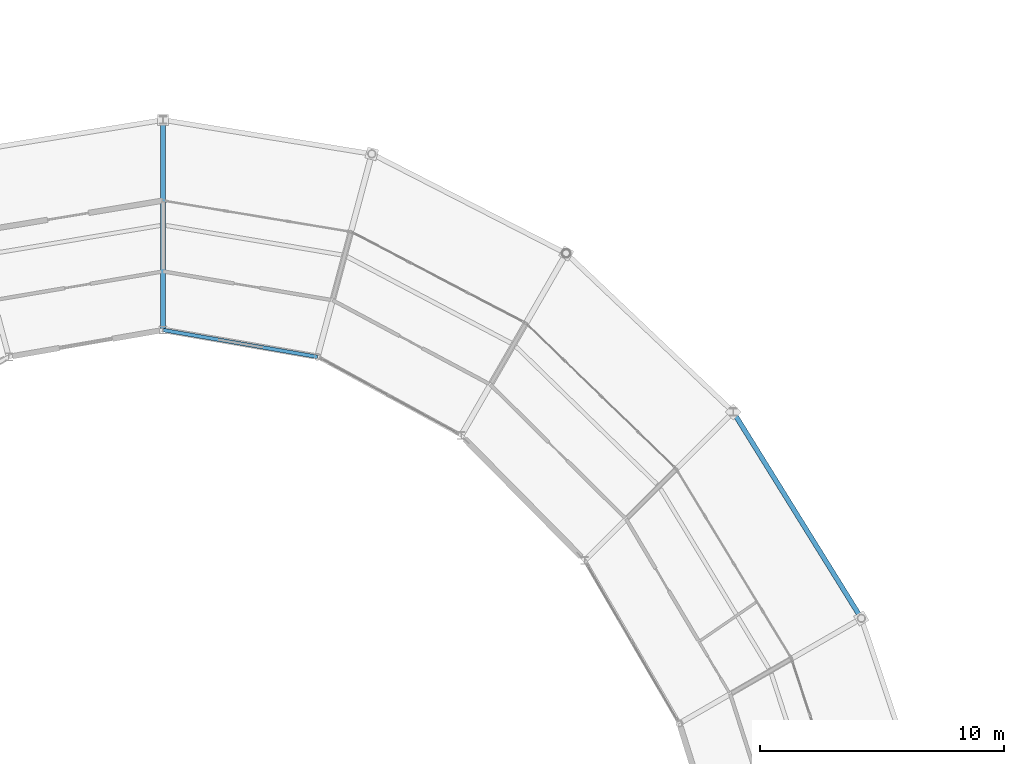
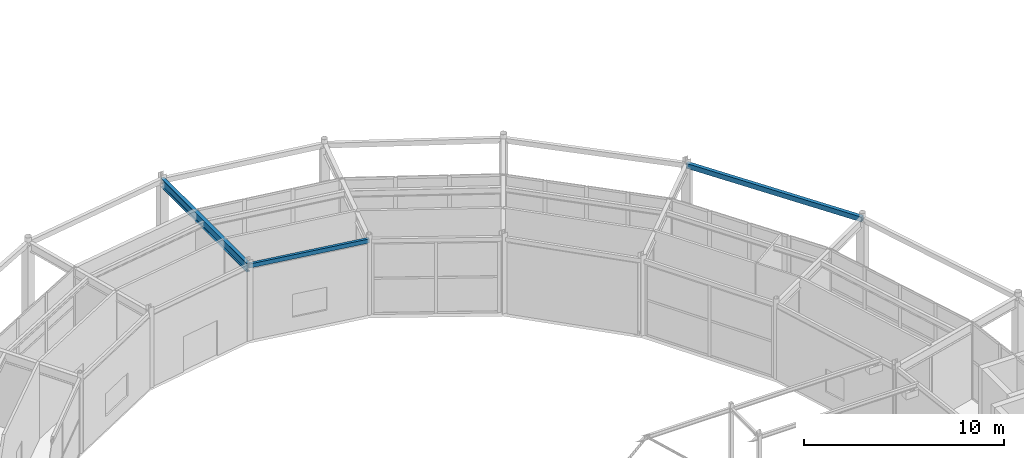
# One storey, part 87 of 144: 3 beams.
"""IFC4 building model written with IfcOpenShell, lengths in metres."""

from ifc_helpers import new_model, si_unit, direction, frame, origin, origin_2d, place, context, subcontext, project, spatial, hollow_rectangle, i_section, extrude, material, material_profile, profile_set, type_object, element, save


model = new_model("IFC4")

# Units and contexts
model_context = context("Model", 3, precision=1e-05, world=origin(), true_north=direction((0.0, 1.0)))
body_context = subcontext(model_context, "Body", "Model", "MODEL_VIEW")
ifc_project = project(units=[si_unit("LENGTHUNIT", "METRE"), si_unit("AREAUNIT", "SQUARE_METRE"), si_unit("VOLUMEUNIT", "CUBIC_METRE"), si_unit("PLANEANGLEUNIT", "RADIAN"), si_unit("MASSUNIT", "GRAM", prefix="KILO")], contexts=[model_context])

# Site, building, storey
site_placement = place(None, origin())
site = spatial("IfcSite", under=ifc_project, at=site_placement, CompositionType="ELEMENT")
building_placement = place(site_placement, origin())
building = spatial("IfcBuilding", under=site, at=building_placement, Name="Karori Crest Natural Sciences Institute", CompositionType="ELEMENT")
storey_placement = place(building_placement, origin())
storey = spatial("IfcBuildingStorey", under=building, at=storey_placement, Name="L00", CompositionType="ELEMENT", Elevation=0.0)

# Beams
ifc_material_1 = material(Name="Structural steel AS/NZS 3679.1 Grade 350", Category="steel")
ifc_material_profile_1 = material_profile(ifc_material_1, i_section(OverallWidth=0.208984375, OverallDepth=0.532958984375, WebThickness=0.01025390625, FlangeThickness=0.015625, FilletRadius=0.013916015625, at=origin_2d()), Name="530UB92.4")
ifc_profile_set_1 = profile_set([ifc_material_profile_1], Name="Structural steel AS/NZS 3679.1 Grade 350")
beam_type_1 = type_object("IfcBeamType", Name="BT-05", PredefinedType="BEAM", material=ifc_profile_set_1)
beam_1_placement = place(storey_placement, frame((66.39990234375, 82.10009765625, 4.37353515625), z_axis=(0.0, 1.0, 0.0), x_axis=(-1.0, 0.0, 0.0)))
element("IfcBeam", 1, at=beam_1_placement, inside=storey, type_object=beam_type_1, Name="Beam B-0115", PredefinedType="BEAM", context=body_context, shape_type="SweptSolid", body=[
    extrude(i_section(OverallWidth=0.208984375, OverallDepth=0.532958984375, WebThickness=0.01025390625, FlangeThickness=0.015625, FilletRadius=0.013916015625, at=origin_2d()), origin(), (0.0, 0.0, 1.0), 8.599853515625),
])
ifc_material_2 = material(Name="Hollow structural steel AS/NZS 1163 Grade C350", Category="steel")
ifc_material_profile_2 = material_profile(ifc_material_2, hollow_rectangle(XDim=0.199951171875, YDim=0.300048828125, WallThickness=0.010009765625, at=origin_2d()), Name="RHS300x200x10")
ifc_profile_set_2 = profile_set([ifc_material_profile_2], Name="Hollow structural steel AS/NZS 1163 Grade C350")
beam_type_2 = type_object("IfcBeamType", Name="BT-15", PredefinedType="SPANDREL", material=ifc_profile_set_2)
beam_2_placement = place(storey_placement, frame((94.978759765625, 70.300048828125, 4.489990234375), z_axis=(-0.527315195609, 0.849669750244, 0.0), x_axis=(-0.849669750244, -0.527315195609, 0.0)))
element("IfcBeam", 2, at=beam_2_placement, inside=storey, type_object=beam_type_2, Name="Beam B-0097", PredefinedType="SPANDREL", context=body_context, shape_type="SweptSolid", body=[
    extrude(hollow_rectangle(XDim=0.199951171875, YDim=0.300048828125, WallThickness=0.010009765625, at=origin_2d()), origin(), (0.0, 0.0, 1.0), 9.945068359375),
])
ifc_material_profile_3 = material_profile(ifc_material_2, hollow_rectangle(XDim=0.14990234375, YDim=0.25, WallThickness=0.009033203125, at=origin_2d()), Name="RHS250x150x9")
ifc_profile_set_3 = profile_set([ifc_material_profile_3], Name="Hollow structural steel AS/NZS 1163 Grade C350")
beam_type_3 = type_object("IfcBeamType", Name="BT-16", PredefinedType="SPANDREL", material=ifc_profile_set_3)
beam_3_placement = place(storey_placement, frame((72.715087890625, 81.002685546875, 4.489990234375), z_axis=(-0.985234948316, 0.171207758638, 0.0), x_axis=(-0.171207758638, -0.985234948316, 0.0)))
element("IfcBeam", 3, at=beam_3_placement, inside=storey, type_object=beam_type_3, Name="Beam B-0110", PredefinedType="SPANDREL", context=body_context, shape_type="SweptSolid", body=[
    extrude(hollow_rectangle(XDim=0.14990234375, YDim=0.25, WallThickness=0.009033203125, at=origin_2d()), origin(), (0.0, 0.0, 1.0), 6.409912109375),
])

save(model, "model.ifc")
